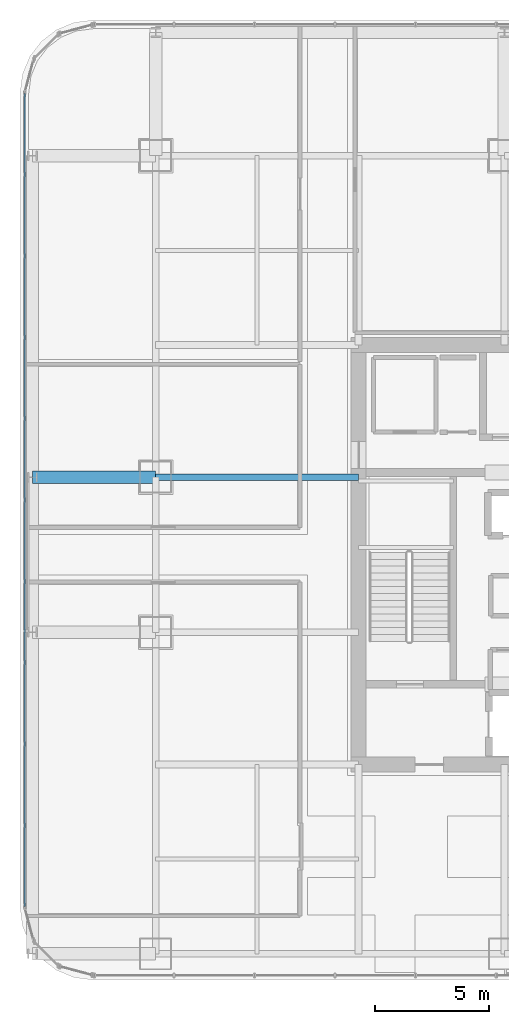
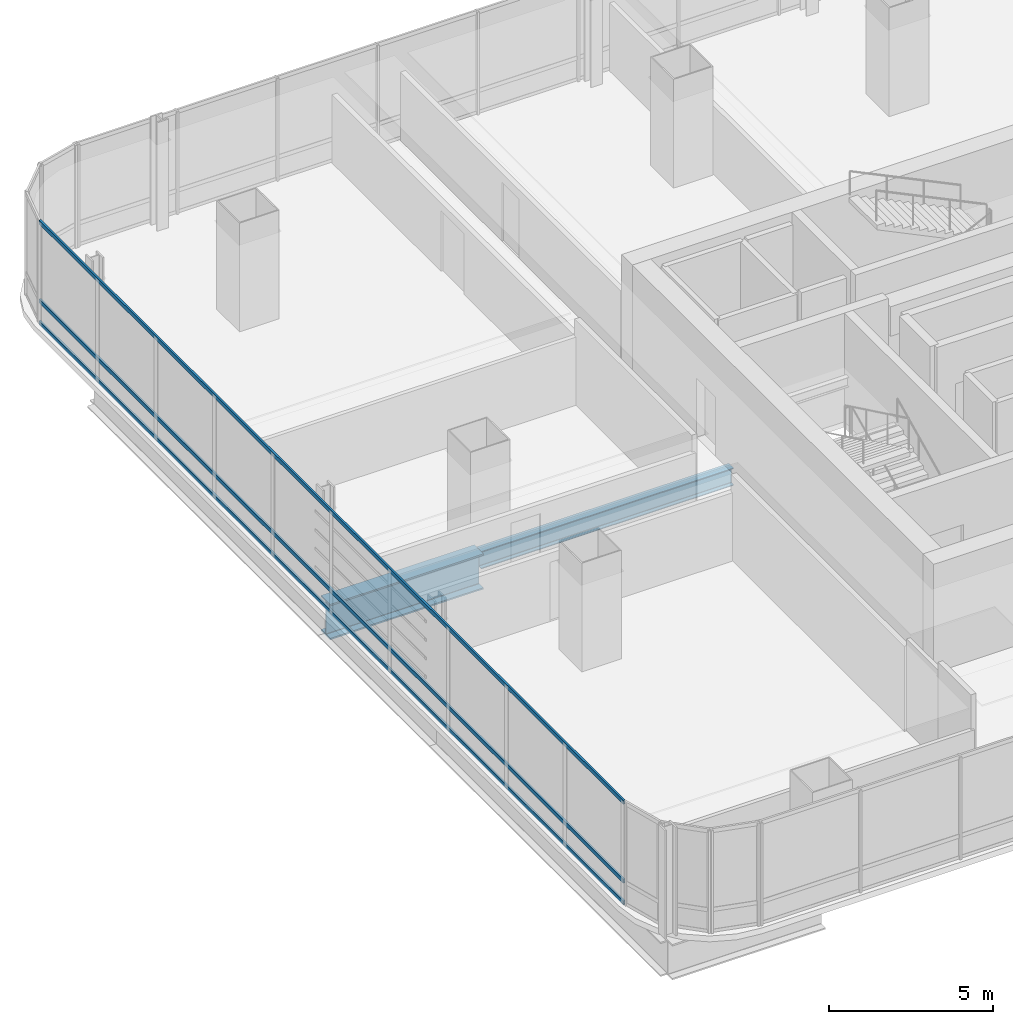
# One storey, part 11 of 38: 3 members, 2 beams, 1 element without a shape of its own.
"""IFC4 building model written with IfcOpenShell, lengths in metres."""

from ifc_helpers import new_model, si_unit, direction, frame, origin, origin_2d, place, context, subcontext, project, spatial, hollow_rectangle, i_section, extrude, material, material_profile, profile_set, type_object, element, aggregate, save


model = new_model("IFC4")

# Units and contexts
model_context = context("Model", 3, precision=1e-05, world=origin(), true_north=direction((0.0, 1.0)))
body_context = subcontext(model_context, "Body", "Model", "MODEL_VIEW")
ifc_project = project(units=[si_unit("LENGTHUNIT", "METRE"), si_unit("AREAUNIT", "SQUARE_METRE"), si_unit("VOLUMEUNIT", "CUBIC_METRE"), si_unit("PLANEANGLEUNIT", "RADIAN"), si_unit("MASSUNIT", "GRAM", prefix="KILO")], contexts=[model_context])

# Site, building, storey
site_placement = place(None, origin())
site = spatial("IfcSite", under=ifc_project, at=site_placement, CompositionType="ELEMENT")
building_placement = place(site_placement, origin())
building = spatial("IfcBuilding", under=site, at=building_placement, Name="Punatoya Terracotta Tower", CompositionType="ELEMENT")
storey_placement = place(building_placement, frame((0.0, 0.0, 147.89990234375)))
storey = spatial("IfcBuildingStorey", under=building, at=storey_placement, Name="L34", CompositionType="ELEMENT", Elevation=147.89990234375)

# Beams
ifc_material_1 = material(Name="Steel S355", Category="steel")
ifc_material_profile_1 = material_profile(ifc_material_1, i_section(OverallWidth=0.300048828125, OverallDepth=0.64990234375, WebThickness=0.01611328125, FlangeThickness=0.031005859375, FilletRadius=0.01806640625, at=origin_2d()))
ifc_profile_set_1 = profile_set([ifc_material_profile_1], Name="Steel S355")
beam_type_1 = type_object("IfcBeamType", Name="BM-PRI-650", PredefinedType="BEAM", material=ifc_profile_set_1)
beam_1_placement = place(storey_placement, frame((-19.10009765625, 3.39990234375, -0.544921875), z_axis=(1.0, 0.0, 0.0), x_axis=(0.0, 1.0, 0.0)))
element("IfcBeam", 1, at=beam_1_placement, inside=storey, type_object=beam_type_1, Name="BM-L34-PR-WE", PredefinedType="BEAM", context=body_context, shape_type="SweptSolid", body=[
    extrude(i_section(OverallWidth=0.300048828125, OverallDepth=0.64990234375, WebThickness=0.01611328125, FlangeThickness=0.031005859375, FilletRadius=0.01806640625, at=origin_2d()), origin(), (0.0, 0.0, 1.0), 8.900146484375),
])
ifc_material_2 = material(Name="Steel S460", Category="steel")
ifc_material_profile_2 = material_profile(ifc_material_2, i_section(OverallWidth=0.56005859375, OverallDepth=1.320068359375, WebThickness=0.035888671875, FlangeThickness=0.054931640625, FilletRadius=0.01806640625, at=origin_2d()))
ifc_profile_set_2 = profile_set([ifc_material_profile_2], Name="Steel S460")
beam_type_2 = type_object("IfcBeamType", Name="BM-TG-BLK", PredefinedType="BEAM", material=ifc_profile_set_2)
beam_2_placement = place(storey_placement, frame((-24.5, 3.39990234375, -0.8798828125), z_axis=(1.0, 0.0, 0.0), x_axis=(0.0, 1.0, 0.0)))
element("IfcBeam", 2, at=beam_2_placement, inside=storey, type_object=beam_type_2, Name="BM-L34-CANT-W3", PredefinedType="BEAM", context=body_context, shape_type="SweptSolid", body=[
    extrude(i_section(OverallWidth=0.56005859375, OverallDepth=1.320068359375, WebThickness=0.035888671875, FlangeThickness=0.054931640625, FilletRadius=0.01806640625, at=origin_2d()), origin(), (0.0, 0.0, 1.0), 5.39990234375),
])

# Curtain wall, members
ifc_material_3 = material(Name="Aluminium 6063-T6 + Double Low-E Glass", Category="aluminium")
curtain_wall_type = type_object("IfcCurtainWallType", Name="CW-M2", PredefinedType="NOTDEFINED", material=ifc_material_3)
curtain_wall_placement = place(storey_placement, origin())
curtain_wall = element("IfcCurtainWall", 3, at=curtain_wall_placement, inside=storey, type_object=curtain_wall_type, Name="L34 Curtain Wall CW-L34-W13-1", PredefinedType="NOTDEFINED")
ifc_material_4 = material(Name="Aluminium 6063-T6", Category="aluminium")
ifc_material_profile_3 = material_profile(ifc_material_4, hollow_rectangle(XDim=0.068115234375, YDim=0.14990234375, WallThickness=0.00390625, at=origin_2d()))
ifc_profile_set_3 = profile_set([ifc_material_profile_3], Name="Aluminium 6063-T6")
member_type = type_object("IfcMemberType", Name="CW-TRN-TYP", PredefinedType="USERDEFINED", material=ifc_profile_set_3)
member_1_placement = place(storey_placement, frame((-24.85009765625, 20.23681640625, 0.0400390625), z_axis=(0.0, -1.0, 0.0), x_axis=(1.0, 0.0, 0.0)))
member_1 = element("IfcMember", 4, at=member_1_placement, type_object=member_type, Name="CW-L34-W13-1 Transom 1", ObjectType="TRANSOM", PredefinedType="USERDEFINED", context=body_context, shape_type="SweptSolid", body=[
    extrude(hollow_rectangle(XDim=0.068115234375, YDim=0.14990234375, WallThickness=0.00390625, at=origin_2d()), origin(), (0.0, 0.0, 1.0), 35.673828125),
])
member_2_placement = place(storey_placement, frame((-24.85009765625, 20.23681640625, 0.85009765625), z_axis=(0.0, -1.0, 0.0), x_axis=(1.0, 0.0, 0.0)))
member_2 = element("IfcMember", 5, at=member_2_placement, type_object=member_type, Name="CW-L34-W13-1 Transom 2", ObjectType="TRANSOM", PredefinedType="USERDEFINED", context=body_context, shape_type="SweptSolid", body=[
    extrude(hollow_rectangle(XDim=0.068115234375, YDim=0.14990234375, WallThickness=0.00390625, at=origin_2d()), origin(), (0.0, 0.0, 1.0), 35.673828125),
])
member_3_placement = place(storey_placement, frame((-24.85009765625, 20.23681640625, 3.7900390625), z_axis=(0.0, -1.0, 0.0), x_axis=(1.0, 0.0, 0.0)))
member_3 = element("IfcMember", 6, at=member_3_placement, type_object=member_type, Name="CW-L34-W13-1 Transom 3", ObjectType="TRANSOM", PredefinedType="USERDEFINED", context=body_context, shape_type="SweptSolid", body=[
    extrude(hollow_rectangle(XDim=0.068115234375, YDim=0.14990234375, WallThickness=0.00390625, at=origin_2d()), origin(), (0.0, 0.0, 1.0), 35.673828125),
])
aggregate(curtain_wall, [member_1, member_2, member_3])

save(model, "model.ifc")
